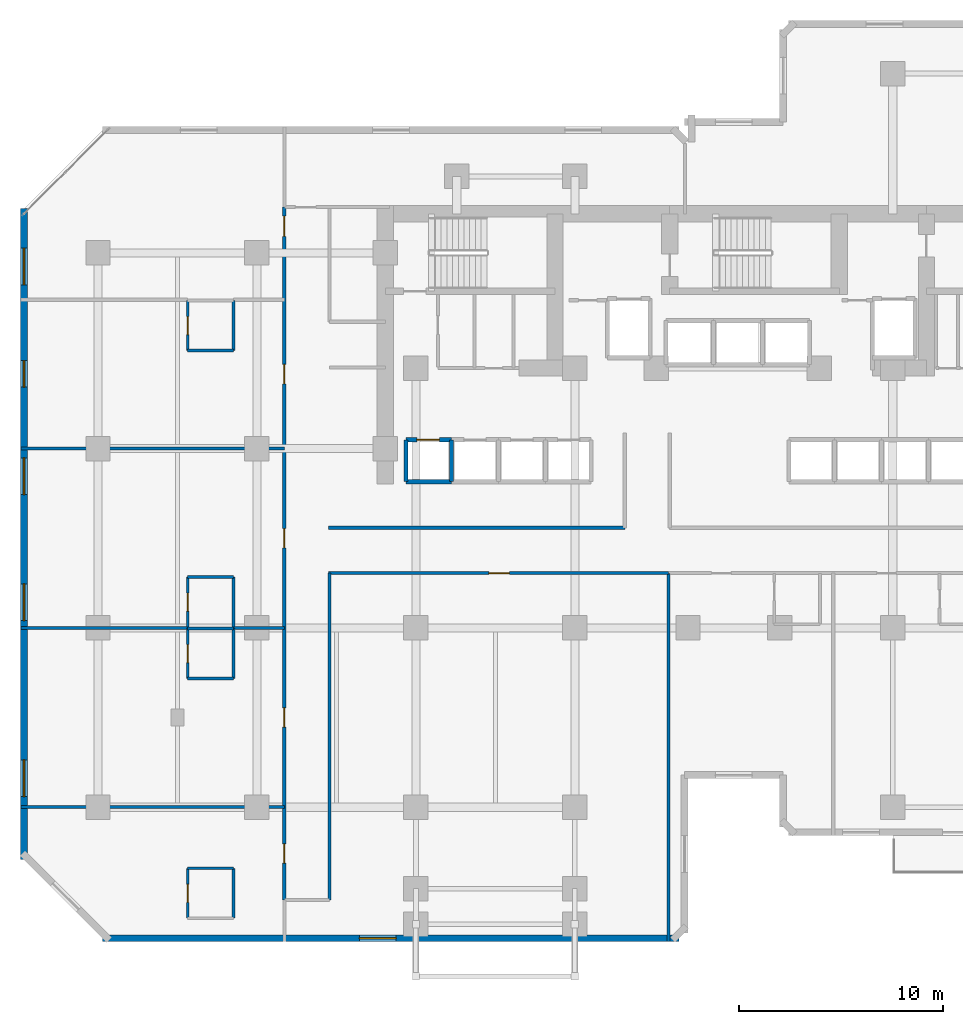
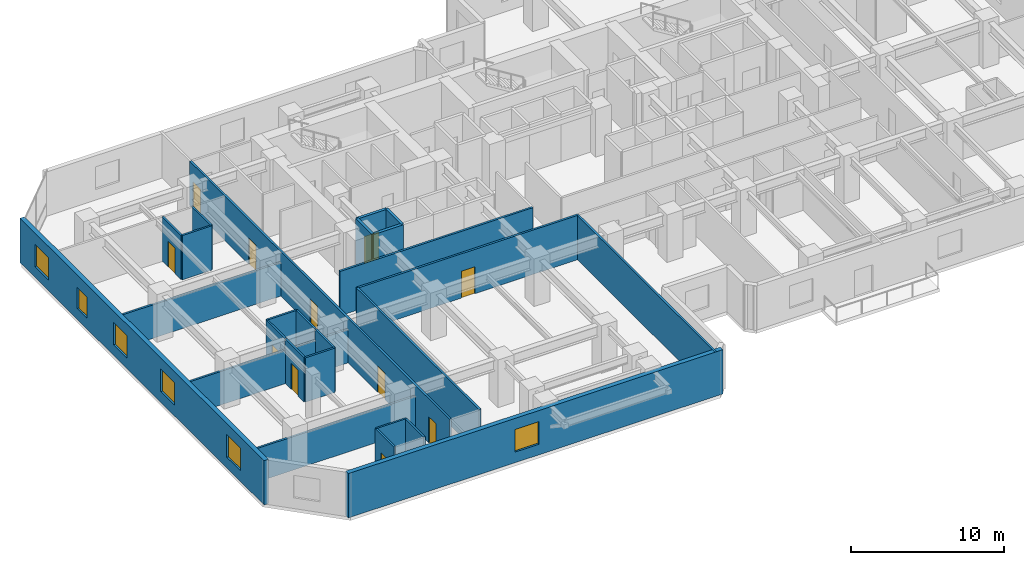
# One storey, part 6 of 12: 28 walls, 11 doors, 6 windows, 17 openings.
"""IFC4 building model written with IfcOpenShell, lengths in metres."""

import ifcopenshell
import ifcopenshell.guid

model = None  # the IFC model being written
_history = None  # IfcOwnerHistory: only IFC2X3 demands one
_inside = {}  # id of a spatial element -> (the spatial element, [elements in it])
_under = {}  # id of a project, library or spatial element -> (it, [spatial elements below it])
_declared = {}  # id of a project -> (the project, [libraries it declares])
_typed = {}  # id of a type object -> (the type object, [elements of that type])
_made_of = {}  # id of a material, layer set ... -> (it, [elements and type objects made of it])


def new_model(schema):
    """Start an empty IFC model of exactly this schema.

    Asked for "IFC4X3", IfcOpenShell would pick the latest addendum, in which some entities
    have other attributes; the version numbers below select the first issue.
    IFC2X3 requires an IfcOwnerHistory on every rooted entity: one is made here for all.
    """
    global model, _history
    if schema == "IFC4X3":
        model = ifcopenshell.file(schema_version=(4, 3, 0, 0))
    else:
        model = ifcopenshell.file(schema=schema)
    _inside.clear()
    _under.clear()
    _declared.clear()
    _typed.clear()
    _made_of.clear()
    _history = None
    if model.schema == "IFC2X3":
        org = make("IfcOrganization", Name="unknown")
        user = make(
            "IfcPersonAndOrganization",
            ThePerson=make("IfcPerson", FamilyName="unknown"),
            TheOrganization=org,
        )
        app = make(
            "IfcApplication",
            ApplicationDeveloper=org,
            Version="unknown",
            ApplicationFullName="unknown",
            ApplicationIdentifier="unknown",
        )
        _history = make(
            "IfcOwnerHistory",
            OwningUser=user,
            OwningApplication=app,
            ChangeAction="ADDED",
            CreationDate=0,
        )
    return model


def make(cls, **values):
    """One entity of the class cls with the attributes given. An attribute that is None is left unset."""
    return model.create_entity(
        cls, **{name: value for name, value in values.items() if value is not None}
    )


def rooted(cls, **values):
    """An entity with a GlobalId (a new one), such as an element, a storey or a relation."""
    return make(cls, GlobalId=ifcopenshell.guid.new(), OwnerHistory=_history, **values)


def si_unit(unit_type, name, prefix=None):
    """IfcSIUnit, for example si_unit("LENGTHUNIT", "METRE", prefix="MILLI")."""
    return make("IfcSIUnit", UnitType=unit_type, Prefix=prefix, Name=name)


def assignment(units):
    """IfcUnitAssignment: the units of a project."""
    return None if units is None else make("IfcUnitAssignment", Units=units)


def point(xyz):
    """IfcCartesianPoint."""
    return None if xyz is None else make("IfcCartesianPoint", Coordinates=xyz)


def direction(xyz):
    """IfcDirection."""
    return None if xyz is None else make("IfcDirection", DirectionRatios=xyz)


def frame(location, z_axis=None, x_axis=None):
    """IfcAxis2Placement3D, a coordinate frame: its origin and axes. An axis left out is left unset."""
    return make(
        "IfcAxis2Placement3D",
        Location=point(location),
        Axis=direction(z_axis),
        RefDirection=direction(x_axis),
    )


def frame_2d(location, x_axis=None):
    """IfcAxis2Placement2D, a coordinate frame in the plane: its origin and x axis."""
    return make(
        "IfcAxis2Placement2D", Location=point(location), RefDirection=direction(x_axis)
    )


def origin():
    """The frame at (0, 0, 0) with its axes left unset."""
    return frame((0.0, 0.0, 0.0))


def place(relative_to, where):
    """IfcLocalPlacement: puts the frame where relative to a parent placement (None: the world)."""
    return make(
        "IfcLocalPlacement", PlacementRelTo=relative_to, RelativePlacement=where
    )


def context(
    kind, dimensions, precision=None, world=None, true_north=None, identifier=None
):
    """IfcGeometricRepresentationContext, for example the 3D "Model" context."""
    return make(
        "IfcGeometricRepresentationContext",
        ContextIdentifier=identifier,
        ContextType=kind,
        CoordinateSpaceDimension=dimensions,
        Precision=precision,
        WorldCoordinateSystem=world,
        TrueNorth=true_north,
    )


def subcontext(parent, identifier, kind, view, scale=None):
    """IfcGeometricRepresentationSubContext, for example "Body" below "Model"."""
    return make(
        "IfcGeometricRepresentationSubContext",
        ContextIdentifier=identifier,
        ContextType=kind,
        ParentContext=parent,
        TargetScale=scale,
        TargetView=view,
    )


def project(units=None, contexts=None):
    """IfcProject with its units and contexts."""
    return rooted(
        "IfcProject",
        Name="project",
        RepresentationContexts=contexts,
        UnitsInContext=assignment(units),
    )


def spatial(cls, under=None, at=None, **own):
    """A site, building, storey or space (cls), placed at a placement, below another one or the project."""
    s = rooted(cls, ObjectPlacement=at, **own)
    if under is not None:
        _under.setdefault(under.id(), (under, []))[1].append(s)
    return s


def profile(cls, at=None, kind="AREA", **sizes):
    """A parametric profile (cls). Its sizes go by their IFC names, for example OverallWidth=200.0."""
    return make(cls, ProfileType=kind, Position=at, **sizes)


def rectangle(**sizes):
    """IfcRectangleProfileDef."""
    return profile("IfcRectangleProfileDef", **sizes)


def extrude(swept, where, along, depth):
    """IfcExtrudedAreaSolid: the profile swept, set in the frame where, extruded along a direction by depth."""
    return make(
        "IfcExtrudedAreaSolid",
        SweptArea=swept,
        Position=where,
        ExtrudedDirection=direction(along),
        Depth=depth,
    )


def shape(context_of_items, identifier, shape_type, items):
    """IfcShapeRepresentation: the items that make up one representation, for example the "Body"."""
    return make(
        "IfcShapeRepresentation",
        ContextOfItems=context_of_items,
        RepresentationIdentifier=identifier,
        RepresentationType=shape_type,
        Items=items,
    )


def material(Name=None, Category=None):
    """IfcMaterial."""
    return make("IfcMaterial", Name=Name, Category=Category)


def layer(
    of_material, thickness, ventilated=None, Name=None, Category=None, Priority=None
):
    """IfcMaterialLayer: one layer of a wall or slab, of a material (None: an air gap)."""
    return make(
        "IfcMaterialLayer",
        Material=of_material,
        LayerThickness=thickness,
        IsVentilated=ventilated,
        Name=Name,
        Category=Category,
        Priority=Priority,
    )


def layer_set(layers, Name=None):
    """IfcMaterialLayerSet."""
    return make("IfcMaterialLayerSet", MaterialLayers=layers, LayerSetName=Name)


def made_of(thing, what):
    """Note that an element or type object is made of a material, layer set ...; save() writes the relation."""
    if what is not None:
        _made_of.setdefault(what.id(), (what, []))[1].append(thing)
    return thing


def type_object(cls, material=None, **own):
    """A type object (cls), such as IfcWallType, which elements share."""
    return made_of(rooted(cls, **own), material)


def element(
    cls,
    number,
    at=None,
    inside=None,
    cuts=None,
    type_object=None,
    material=None,
    context=None,
    identifier="Body",
    shape_type=None,
    held_by="IfcProductDefinitionShape",
    body=None,
    shapes=None,
    **own,
):
    """One element of the class cls, such as IfcWall. Its Tag is "e" and its number.

    at: its placement. inside: the storey or other place that contains it. cuts: it is an
    opening in that element (IfcRelVoidsElement). A single representation is given by context,
    identifier, shape_type and body (its items); several are given by shapes. held_by: the class
    of the entity that holds the representations. save() writes the other relations.
    """
    e = rooted(cls, Tag="e%d" % number, ObjectPlacement=at, **own)
    if body is not None:
        shapes = [shape(context, identifier, shape_type, body)]
    if shapes is not None:
        e.Representation = make(held_by, Representations=shapes)
    if inside is not None:
        _inside.setdefault(inside.id(), (inside, []))[1].append(e)
    if cuts is not None:
        rooted(
            "IfcRelVoidsElement", RelatingBuildingElement=cuts, RelatedOpeningElement=e
        )
    if type_object is not None:
        _typed.setdefault(type_object.id(), (type_object, []))[1].append(e)
    return made_of(e, material)


def fill(opening, filler):
    """IfcRelFillsElement: the door or window that sits in an opening."""
    return rooted(
        "IfcRelFillsElement",
        RelatingOpeningElement=opening,
        RelatedBuildingElement=filler,
    )


def aggregate(whole, parts):
    """IfcRelAggregates: a whole, such as a stair, and the parts it consists of."""
    return rooted("IfcRelAggregates", RelatingObject=whole, RelatedObjects=parts)


def save(model, path):
    """Write the relations noted so far, then the file.

    IfcRelAggregates (storeys below a building ...), IfcRelContainedInSpatialStructure (elements
    in a storey), IfcRelDefinesByType, IfcRelAssociatesMaterial and IfcRelDeclares: one each for
    every whole, place, type object, material and project.
    """
    for whole, parts in _under.values():
        aggregate(whole, parts)
    for where, things in _inside.values():
        rooted(
            "IfcRelContainedInSpatialStructure",
            RelatedElements=things,
            RelatingStructure=where,
        )
    for kind, things in _typed.values():
        rooted("IfcRelDefinesByType", RelatedObjects=things, RelatingType=kind)
    for what, things in _made_of.values():
        rooted("IfcRelAssociatesMaterial", RelatedObjects=things, RelatingMaterial=what)
    for by, libraries in _declared.values():
        rooted("IfcRelDeclares", RelatingContext=by, RelatedDefinitions=libraries)
    model.write(path)


model = new_model("IFC4")

# Units and contexts
model_context = context("Model", 3, precision=1e-05, world=origin(), true_north=direction((0.0, 1.0)))
body_context = subcontext(model_context, "Body", "Model", "MODEL_VIEW")
ifc_project = project(units=[si_unit("LENGTHUNIT", "METRE"), si_unit("AREAUNIT", "SQUARE_METRE"), si_unit("VOLUMEUNIT", "CUBIC_METRE"), si_unit("PLANEANGLEUNIT", "RADIAN"), si_unit("MASSUNIT", "GRAM", prefix="KILO")], contexts=[model_context])

# Site, building, storey
site_placement = place(None, origin())
site = spatial("IfcSite", under=ifc_project, at=site_placement, CompositionType="ELEMENT")
building_placement = place(site_placement, origin())
building = spatial("IfcBuilding", under=site, at=building_placement, Name="Kestravale Grand Hotel", CompositionType="ELEMENT")
storey_placement = place(building_placement, frame((0.0, 0.0, 91.800048828125)))
storey = spatial("IfcBuildingStorey", under=building, at=storey_placement, Name="L22", CompositionType="ELEMENT", Elevation=91.800048828125)

# Wall, opening, window
ifc_material_1 = material(Name="Precast concrete f'c 45 MPa", Category="concrete")
ifc_layer_1 = layer(ifc_material_1, 0.340087890625)
ifc_layer_set_1 = layer_set([ifc_layer_1], Name="EW-PREC-340")
wall_type_1 = type_object("IfcWallType", Name="EW-PREC-340", PredefinedType="SOLIDWALL", material=ifc_layer_set_1)
wall_1_placement = place(storey_placement, frame((8.030029296875, 4.77001953125, 0.0), z_axis=(0.0, 0.0, 1.0), x_axis=(1.0, 0.0, 0.0)))
wall_1 = element("IfcWall", 1, at=wall_1_placement, inside=storey, type_object=wall_type_1, Name="L22 fluted precast facade wall 1", PredefinedType="SOLIDWALL", context=body_context, shape_type="SweptSolid", body=[
    extrude(rectangle(XDim=28.2900390625, YDim=0.340087890625, at=frame_2d((14.14501953125, 0.0))), origin(), (0.0, 0.0, 1.0), 3.5400390625),
])
opening_1_placement = place(wall_1_placement, frame((12.594970703125, 0.0, 0.85009765625)))
opening_1 = element("IfcOpeningElement", 2, at=opening_1_placement, cuts=wall_1, Name="Opening W-GUEST-1800", PredefinedType="OPENING", context=body_context, shape_type="SweptSolid", body=[
    extrude(rectangle(XDim=1.800048828125, YDim=1.800048828125, at=frame_2d((0.89990234375, 0.89990234375))), frame((0.0, 0.179931640625, 0.0), z_axis=(0.0, -1.0, 0.0), x_axis=(1.0, 0.0, 0.0)), (0.0, 0.0, 1.0), 0.360107421875),
])
ifc_material_2 = material(Name="Insulated low-E double glazing in aluminium frame", Category="aluminium")
window_type_1 = type_object("IfcWindowType", Name="W-GUEST-1800", PartitioningType="DOUBLE_PANEL_VERTICAL", PredefinedType="WINDOW", material=ifc_material_2)
window_1_placement = place(opening_1_placement, origin())
window_1 = element("IfcWindow", 3, at=window_1_placement, inside=storey, type_object=window_type_1, Name="L22 exterior window 1.1", OverallHeight=1.800048828125, OverallWidth=1.800048828125, PartitioningType="SINGLE_PANEL", PredefinedType="WINDOW", context=body_context, shape_type="SweptSolid", body=[
    extrude(rectangle(XDim=1.800048828125, YDim=1.800048828125, at=frame_2d((0.89990234375, 0.89990234375))), frame((0.0, 0.030029296875, 0.0), z_axis=(0.0, -1.0, 0.0), x_axis=(1.0, 0.0, 0.0)), (0.0, 0.0, 1.0), 0.06005859375),
])
fill(opening_1, window_1)

# Wall, openings, windows
wall_2_placement = place(storey_placement, frame((4.169921875, 40.570068359375, 0.0), z_axis=(0.0, 0.0, 1.0), x_axis=(0.0, -1.0, 0.0)))
wall_2 = element("IfcWall", 4, at=wall_2_placement, inside=storey, type_object=wall_type_1, Name="L22 fluted precast facade wall 19", PredefinedType="SOLIDWALL", context=body_context, shape_type="SweptSolid", body=[
    extrude(rectangle(XDim=31.940185546875, YDim=0.340087890625, at=frame_2d((15.97021484375, 0.0))), origin(), (0.0, 0.0, 1.0), 3.5400390625),
])
opening_2_placement = place(wall_2_placement, frame((1.9423828125, 0.0, 0.85009765625)))
opening_2 = element("IfcOpeningElement", 5, at=opening_2_placement, cuts=wall_2, Name="Opening W-GUEST-1800", PredefinedType="OPENING", context=body_context, shape_type="SweptSolid", body=[
    extrude(rectangle(XDim=1.800048828125, YDim=1.800048828125, at=frame_2d((0.89990234375, 0.89990234375))), frame((0.0, 0.179931640625, 0.0), z_axis=(0.0, -1.0, 0.0), x_axis=(1.0, 0.0, 0.0)), (0.0, 0.0, 1.0), 0.360107421875),
])
opening_3_placement = place(wall_2_placement, frame((12.2275390625, 0.0, 0.85009765625)))
opening_3 = element("IfcOpeningElement", 6, at=opening_3_placement, cuts=wall_2, Name="Opening W-GUEST-1800", PredefinedType="OPENING", context=body_context, shape_type="SweptSolid", body=[
    extrude(rectangle(XDim=1.800048828125, YDim=1.800048828125, at=frame_2d((0.89990234375, 0.89990234375))), frame((0.0, 0.179931640625, 0.0), z_axis=(0.0, -1.0, 0.0), x_axis=(1.0, 0.0, 0.0)), (0.0, 0.0, 1.0), 0.360107421875),
])
opening_4_placement = place(wall_2_placement, frame((18.41259765625, 0.0, 0.85009765625)))
opening_4 = element("IfcOpeningElement", 7, at=opening_4_placement, cuts=wall_2, Name="Opening W-GUEST-1800", PredefinedType="OPENING", context=body_context, shape_type="SweptSolid", body=[
    extrude(rectangle(XDim=1.800048828125, YDim=1.800048828125, at=frame_2d((0.89990234375, 0.89990234375))), frame((0.0, 0.179931640625, 0.0), z_axis=(0.0, -1.0, 0.0), x_axis=(1.0, 0.0, 0.0)), (0.0, 0.0, 1.0), 0.360107421875),
])
opening_5_placement = place(wall_2_placement, frame((27.047607421875, 0.0, 0.85009765625)))
opening_5 = element("IfcOpeningElement", 8, at=opening_5_placement, cuts=wall_2, Name="Opening W-GUEST-1800", PredefinedType="OPENING", context=body_context, shape_type="SweptSolid", body=[
    extrude(rectangle(XDim=1.800048828125, YDim=1.800048828125, at=frame_2d((0.89990234375, 0.89990234375))), frame((0.0, 0.179931640625, 0.0), z_axis=(0.0, -1.0, 0.0), x_axis=(1.0, 0.0, 0.0)), (0.0, 0.0, 1.0), 0.360107421875),
])
opening_6_placement = place(wall_2_placement, frame((7.4599609375, 0.0, 0.85009765625)))
opening_6 = element("IfcOpeningElement", 9, at=opening_6_placement, cuts=wall_2, Name="Opening W-GUEST-1300", PredefinedType="OPENING", context=body_context, shape_type="SweptSolid", body=[
    extrude(rectangle(XDim=1.300048828125, YDim=1.699951171875, at=frame_2d((0.64990234375, 0.85009765625))), frame((0.0, 0.179931640625, 0.0), z_axis=(0.0, -1.0, 0.0), x_axis=(1.0, 0.0, 0.0)), (0.0, 0.0, 1.0), 0.360107421875),
])
ifc_material_3 = material(Name="Insulated low-E double glazing in aluminium frame", Category="aluminium")
window_type_2 = type_object("IfcWindowType", Name="W-GUEST-1300", PartitioningType="SINGLE_PANEL", PredefinedType="WINDOW", material=ifc_material_3)
window_2_placement = place(opening_6_placement, origin())
window_2 = element("IfcWindow", 10, at=window_2_placement, inside=storey, type_object=window_type_2, Name="L22 guestroom envelope window 1", OverallHeight=1.699951171875, OverallWidth=1.300048828125, PartitioningType="SINGLE_PANEL", PredefinedType="WINDOW", context=body_context, shape_type="SweptSolid", body=[
    extrude(rectangle(XDim=1.300048828125, YDim=1.699951171875, at=frame_2d((0.64990234375, 0.85009765625))), frame((0.0, 0.030029296875, 0.0), z_axis=(0.0, -1.0, 0.0), x_axis=(1.0, 0.0, 0.0)), (0.0, 0.0, 1.0), 0.06005859375),
])
fill(opening_6, window_2)
window_3_placement = place(opening_2_placement, origin())
window_3 = element("IfcWindow", 11, at=window_3_placement, inside=storey, type_object=window_type_1, Name="L22 exterior window 19.1", OverallHeight=1.800048828125, OverallWidth=1.800048828125, PartitioningType="SINGLE_PANEL", PredefinedType="WINDOW", context=body_context, shape_type="SweptSolid", body=[
    extrude(rectangle(XDim=1.800048828125, YDim=1.800048828125, at=frame_2d((0.89990234375, 0.89990234375))), frame((0.0, 0.030029296875, 0.0), z_axis=(0.0, -1.0, 0.0), x_axis=(1.0, 0.0, 0.0)), (0.0, 0.0, 1.0), 0.06005859375),
])
fill(opening_2, window_3)
window_4_placement = place(opening_3_placement, origin())
window_4 = element("IfcWindow", 12, at=window_4_placement, inside=storey, type_object=window_type_1, Name="L22 exterior window 19.2", OverallHeight=1.800048828125, OverallWidth=1.800048828125, PartitioningType="SINGLE_PANEL", PredefinedType="WINDOW", context=body_context, shape_type="SweptSolid", body=[
    extrude(rectangle(XDim=1.800048828125, YDim=1.800048828125, at=frame_2d((0.89990234375, 0.89990234375))), frame((0.0, 0.030029296875, 0.0), z_axis=(0.0, -1.0, 0.0), x_axis=(1.0, 0.0, 0.0)), (0.0, 0.0, 1.0), 0.06005859375),
])
fill(opening_3, window_4)
window_5_placement = place(opening_4_placement, origin())
window_5 = element("IfcWindow", 13, at=window_5_placement, inside=storey, type_object=window_type_1, Name="L22 exterior window 19.3", OverallHeight=1.800048828125, OverallWidth=1.800048828125, PartitioningType="SINGLE_PANEL", PredefinedType="WINDOW", context=body_context, shape_type="SweptSolid", body=[
    extrude(rectangle(XDim=1.800048828125, YDim=1.800048828125, at=frame_2d((0.89990234375, 0.89990234375))), frame((0.0, 0.030029296875, 0.0), z_axis=(0.0, -1.0, 0.0), x_axis=(1.0, 0.0, 0.0)), (0.0, 0.0, 1.0), 0.06005859375),
])
fill(opening_4, window_5)
window_6_placement = place(opening_5_placement, origin())
window_6 = element("IfcWindow", 14, at=window_6_placement, inside=storey, type_object=window_type_1, Name="L22 exterior window 19.4", OverallHeight=1.800048828125, OverallWidth=1.800048828125, PartitioningType="SINGLE_PANEL", PredefinedType="WINDOW", context=body_context, shape_type="SweptSolid", body=[
    extrude(rectangle(XDim=1.800048828125, YDim=1.800048828125, at=frame_2d((0.89990234375, 0.89990234375))), frame((0.0, 0.030029296875, 0.0), z_axis=(0.0, -1.0, 0.0), x_axis=(1.0, 0.0, 0.0)), (0.0, 0.0, 1.0), 0.06005859375),
])
fill(opening_5, window_6)

# Wall
ifc_material_4 = material(Name="Acoustic fire-rated gypsum board partition", Category="other")
ifc_layer_2 = layer(ifc_material_4, 0.159912109375)
ifc_layer_set_2 = layer_set([ifc_layer_2], Name="IW-CORR-160")
wall_type_2 = type_object("IfcWallType", Name="IW-CORR-160", PredefinedType="PARTITIONING", material=ifc_layer_set_2)
wall_3_placement = place(storey_placement, frame((19.10009765625, 24.909912109375, 0.0), z_axis=(0.0, 0.0, 1.0), x_axis=(1.0, 0.0, 0.0)))
element("IfcWall", 15, at=wall_3_placement, inside=storey, type_object=wall_type_2, Name="W-L22-CW-N", PredefinedType="PARTITIONING", context=body_context, shape_type="SweptSolid", body=[
    extrude(rectangle(XDim=14.5498046875, YDim=0.159912109375, at=frame_2d((7.27490234375, 0.0))), origin(), (0.0, 0.0, 1.0), 3.5400390625),
])

# Wall, opening, door
wall_4_placement = place(storey_placement, frame((19.10009765625, 22.68994140625, 0.0), z_axis=(0.0, 0.0, 1.0), x_axis=(1.0, 0.0, 0.0)))
wall_4 = element("IfcWall", 16, at=wall_4_placement, inside=storey, type_object=wall_type_2, Name="W-L22-CW-S", PredefinedType="PARTITIONING", context=body_context, shape_type="SweptSolid", body=[
    extrude(rectangle(XDim=16.699951171875, YDim=0.159912109375, at=frame_2d((8.35009765625, 0.0))), origin(), (0.0, 0.0, 1.0), 3.5400390625),
])
opening_7_placement = place(wall_4_placement, frame((7.8798828125, 0.0, 0.0)))
opening_7 = element("IfcOpeningElement", 17, at=opening_7_placement, cuts=wall_4, Name="Opening D-GUEST-1000", PredefinedType="OPENING", context=body_context, shape_type="SweptSolid", body=[
    extrude(rectangle(XDim=1.0, YDim=2.14990234375, at=frame_2d((0.5, 1.074951171875))), frame((0.0, 0.08984375, 0.0), z_axis=(0.0, -1.0, 0.0), x_axis=(1.0, 0.0, 0.0)), (0.0, 0.0, 1.0), 0.179931640625),
])
ifc_material_5 = material(Name="Accessible walnut veneer hotel entrance fire door", Category="wood")
door_type_1 = type_object("IfcDoorType", Name="D-GUEST-1000", OperationType="NOTDEFINED", PredefinedType="DOOR", material=ifc_material_5)
door_1_placement = place(opening_7_placement, origin())
door_1 = element("IfcDoor", 18, at=door_1_placement, inside=storey, type_object=door_type_1, Name="D-L22-AMW", OperationType="SINGLE_SWING_LEFT", OverallHeight=2.14990234375, OverallWidth=1.0, PredefinedType="DOOR", context=body_context, shape_type="SweptSolid", body=[
    extrude(rectangle(XDim=1.0, YDim=2.14990234375, at=frame_2d((0.5, 1.074951171875))), frame((0.0, 0.02490234375, 0.0), z_axis=(0.0, -1.0, 0.0), x_axis=(1.0, 0.0, 0.0)), (0.0, 0.0, 1.0), 0.050048828125),
])
fill(opening_7, door_1)

# Wall, openings, doors
wall_5_placement = place(storey_placement, frame((16.93994140625, 6.64990234375, 0.0), z_axis=(0.0, 0.0, 1.0), x_axis=(0.0, 1.0, 0.0)))
wall_5 = element("IfcWall", 19, at=wall_5_placement, inside=storey, type_object=wall_type_2, Name="W-L22-SW-W", PredefinedType="PARTITIONING", context=body_context, shape_type="SweptSolid", body=[
    extrude(rectangle(XDim=34.0, YDim=0.159912109375, at=frame_2d((17.0, 0.0))), origin(), (0.0, 0.0, 1.0), 3.5400390625),
])
opening_8_placement = place(wall_5_placement, frame((1.800048828125, 0.0, 0.0)))
opening_8 = element("IfcOpeningElement", 20, at=opening_8_placement, cuts=wall_5, Name="Opening D-GUEST-950", PredefinedType="OPENING", context=body_context, shape_type="SweptSolid", body=[
    extrude(rectangle(XDim=0.949951171875, YDim=2.10009765625, at=frame_2d((0.47509765625, 1.050048828125))), frame((0.0, 0.08984375, 0.0), z_axis=(0.0, -1.0, 0.0), x_axis=(1.0, 0.0, 0.0)), (0.0, 0.0, 1.0), 0.179931640625),
])
opening_9_placement = place(wall_5_placement, frame((8.47509765625, 0.0, 0.0)))
opening_9 = element("IfcOpeningElement", 21, at=opening_9_placement, cuts=wall_5, Name="Opening D-GUEST-950", PredefinedType="OPENING", context=body_context, shape_type="SweptSolid", body=[
    extrude(rectangle(XDim=0.949951171875, YDim=2.10009765625, at=frame_2d((0.47509765625, 1.050048828125))), frame((0.0, 0.08984375, 0.0), z_axis=(0.0, -1.0, 0.0), x_axis=(1.0, 0.0, 0.0)), (0.0, 0.0, 1.0), 0.179931640625),
])
opening_10_placement = place(wall_5_placement, frame((17.27490234375, 0.0, 0.0)))
opening_10 = element("IfcOpeningElement", 22, at=opening_10_placement, cuts=wall_5, Name="Opening D-GUEST-950", PredefinedType="OPENING", context=body_context, shape_type="SweptSolid", body=[
    extrude(rectangle(XDim=0.949951171875, YDim=2.10009765625, at=frame_2d((0.47509765625, 1.050048828125))), frame((0.0, 0.08984375, 0.0), z_axis=(0.0, -1.0, 0.0), x_axis=(1.0, 0.0, 0.0)), (0.0, 0.0, 1.0), 0.179931640625),
])
opening_11_placement = place(wall_5_placement, frame((25.324951171875, 0.0, 0.0)))
opening_11 = element("IfcOpeningElement", 23, at=opening_11_placement, cuts=wall_5, Name="Opening D-GUEST-950", PredefinedType="OPENING", context=body_context, shape_type="SweptSolid", body=[
    extrude(rectangle(XDim=0.949951171875, YDim=2.10009765625, at=frame_2d((0.47509765625, 1.050048828125))), frame((0.0, 0.08984375, 0.0), z_axis=(0.0, -1.0, 0.0), x_axis=(1.0, 0.0, 0.0)), (0.0, 0.0, 1.0), 0.179931640625),
])
opening_12_placement = place(wall_5_placement, frame((32.56005859375, 0.0, 0.0)))
opening_12 = element("IfcOpeningElement", 24, at=opening_12_placement, cuts=wall_5, Name="Opening D-GUEST-1000", PredefinedType="OPENING", context=body_context, shape_type="SweptSolid", body=[
    extrude(rectangle(XDim=1.0, YDim=2.14990234375, at=frame_2d((0.5, 1.074951171875))), frame((0.0, 0.08984375, 0.0), z_axis=(0.0, -1.0, 0.0), x_axis=(1.0, 0.0, 0.0)), (0.0, 0.0, 1.0), 0.179931640625),
])
door_2_placement = place(opening_12_placement, origin())
door_2 = element("IfcDoor", 25, at=door_2_placement, inside=storey, type_object=door_type_1, Name="D-L22-AMWW", OperationType="SINGLE_SWING_LEFT", OverallHeight=2.14990234375, OverallWidth=1.0, PredefinedType="DOOR", context=body_context, shape_type="SweptSolid", body=[
    extrude(rectangle(XDim=1.0, YDim=2.14990234375, at=frame_2d((0.5, 1.074951171875))), frame((0.0, 0.02490234375, 0.0), z_axis=(0.0, -1.0, 0.0), x_axis=(1.0, 0.0, 0.0)), (0.0, 0.0, 1.0), 0.050048828125),
])
fill(opening_12, door_2)
ifc_material_6 = material(Name="Walnut veneer hotel guestroom entrance fire door", Category="wood")
door_type_2 = type_object("IfcDoorType", Name="D-GUEST-950", OperationType="NOTDEFINED", PredefinedType="DOOR", material=ifc_material_6)
door_3_placement = place(opening_8_placement, origin())
door_3 = element("IfcDoor", 26, at=door_3_placement, inside=storey, type_object=door_type_2, Name="D-L22-U03-ENT", OperationType="SINGLE_SWING_RIGHT", OverallHeight=2.10009765625, OverallWidth=0.949951171875, PredefinedType="DOOR", context=body_context, shape_type="SweptSolid", body=[
    extrude(rectangle(XDim=0.949951171875, YDim=2.10009765625, at=frame_2d((0.47509765625, 1.050048828125))), frame((0.0, 0.02490234375, 0.0), z_axis=(0.0, -1.0, 0.0), x_axis=(1.0, 0.0, 0.0)), (0.0, 0.0, 1.0), 0.050048828125),
])
fill(opening_8, door_3)
door_4_placement = place(opening_9_placement, origin())
door_4 = element("IfcDoor", 27, at=door_4_placement, inside=storey, type_object=door_type_2, Name="D-L22-U04-ENT", OperationType="SINGLE_SWING_RIGHT", OverallHeight=2.10009765625, OverallWidth=0.949951171875, PredefinedType="DOOR", context=body_context, shape_type="SweptSolid", body=[
    extrude(rectangle(XDim=0.949951171875, YDim=2.10009765625, at=frame_2d((0.47509765625, 1.050048828125))), frame((0.0, 0.02490234375, 0.0), z_axis=(0.0, -1.0, 0.0), x_axis=(1.0, 0.0, 0.0)), (0.0, 0.0, 1.0), 0.050048828125),
])
fill(opening_9, door_4)
door_5_placement = place(opening_10_placement, origin())
door_5 = element("IfcDoor", 28, at=door_5_placement, inside=storey, type_object=door_type_2, Name="D-L22-U05-ENT", OperationType="SINGLE_SWING_RIGHT", OverallHeight=2.10009765625, OverallWidth=0.949951171875, PredefinedType="DOOR", context=body_context, shape_type="SweptSolid", body=[
    extrude(rectangle(XDim=0.949951171875, YDim=2.10009765625, at=frame_2d((0.47509765625, 1.050048828125))), frame((0.0, 0.02490234375, 0.0), z_axis=(0.0, -1.0, 0.0), x_axis=(1.0, 0.0, 0.0)), (0.0, 0.0, 1.0), 0.050048828125),
])
fill(opening_10, door_5)
door_6_placement = place(opening_11_placement, origin())
door_6 = element("IfcDoor", 29, at=door_6_placement, inside=storey, type_object=door_type_2, Name="D-L22-U06-ENT", OperationType="SINGLE_SWING_RIGHT", OverallHeight=2.10009765625, OverallWidth=0.949951171875, PredefinedType="DOOR", context=body_context, shape_type="SweptSolid", body=[
    extrude(rectangle(XDim=0.949951171875, YDim=2.10009765625, at=frame_2d((0.47509765625, 1.050048828125))), frame((0.0, 0.02490234375, 0.0), z_axis=(0.0, -1.0, 0.0), x_axis=(1.0, 0.0, 0.0)), (0.0, 0.0, 1.0), 0.050048828125),
])
fill(opening_11, door_6)

# Wall
wall_6_placement = place(storey_placement, frame((19.159912109375, 6.64990234375, 0.0), z_axis=(0.0, 0.0, 1.0), x_axis=(0.0, 1.0, 0.0)))
element("IfcWall", 30, at=wall_6_placement, inside=storey, type_object=wall_type_2, Name="W-L22-SW-E", PredefinedType="PARTITIONING", context=body_context, shape_type="SweptSolid", body=[
    extrude(rectangle(XDim=16.0400390625, YDim=0.159912109375, at=frame_2d((8.02001953125, 0.0))), origin(), (0.0, 0.0, 1.0), 3.5400390625),
])

# Wall, opening, door
ifc_material_7 = material(Name="Moisture-resistant tile-backer plumbing chase wall", Category="other")
ifc_layer_3 = layer(ifc_material_7, 0.139892578125)
ifc_layer_set_3 = layer_set([ifc_layer_3], Name="IW-PLB-140")
wall_type_3 = type_object("IfcWallType", Name="IW-PLB-140", PredefinedType="PLUMBINGWALL", material=ifc_layer_set_3)
wall_7_placement = place(storey_placement, frame((12.199951171875, 5.75, 0.0), z_axis=(0.0, 0.0, 1.0), x_axis=(0.0, 1.0, 0.0)))
wall_7 = element("IfcWall", 31, at=wall_7_placement, inside=storey, type_object=wall_type_3, Name="W-L22-U03-BW", PredefinedType="PLUMBINGWALL", context=body_context, shape_type="SweptSolid", body=[
    extrude(rectangle(XDim=2.449951171875, YDim=0.139892578125, at=frame_2d((1.22509765625, 0.0))), origin(), (0.0, 0.0, 1.0), 3.5400390625),
])
opening_13_placement = place(wall_7_placement, frame((0.784912109375, 0.0, 0.0)))
opening_13 = element("IfcOpeningElement", 32, at=opening_13_placement, cuts=wall_7, Name="Opening D-BATH-880", PredefinedType="OPENING", context=body_context, shape_type="SweptSolid", body=[
    extrude(rectangle(XDim=0.8798828125, YDim=2.050048828125, at=frame_2d((0.43994140625, 1.02490234375))), frame((0.0, 0.079833984375, 0.0), z_axis=(0.0, -1.0, 0.0), x_axis=(1.0, 0.0, 0.0)), (0.0, 0.0, 1.0), 0.159912109375),
])
ifc_material_8 = material(Name="Moisture-sealed walnut en-suite bathroom door", Category="wood")
door_type_3 = type_object("IfcDoorType", Name="D-BATH-880", OperationType="NOTDEFINED", PredefinedType="DOOR", material=ifc_material_8)
door_7_placement = place(opening_13_placement, origin())
door_7 = element("IfcDoor", 33, at=door_7_placement, inside=storey, type_object=door_type_3, Name="D-L22-U03-BATH", OperationType="SINGLE_SWING_LEFT", OverallHeight=2.050048828125, OverallWidth=0.8798828125, PredefinedType="DOOR", context=body_context, shape_type="SweptSolid", body=[
    extrude(rectangle(XDim=0.8798828125, YDim=2.050048828125, at=frame_2d((0.43994140625, 1.02490234375))), frame((0.0, 0.02490234375, 0.0), z_axis=(0.0, -1.0, 0.0), x_axis=(1.0, 0.0, 0.0)), (0.0, 0.0, 1.0), 0.050048828125),
])
fill(opening_13, door_7)

# Walls
wall_8_placement = place(storey_placement, frame((14.449951171875, 5.75, 0.0), z_axis=(0.0, 0.0, 1.0), x_axis=(0.0, 1.0, 0.0)))
element("IfcWall", 34, at=wall_8_placement, inside=storey, type_object=wall_type_3, Name="W-L22-U03-BE", PredefinedType="PLUMBINGWALL", context=body_context, shape_type="SweptSolid", body=[
    extrude(rectangle(XDim=2.449951171875, YDim=0.139892578125, at=frame_2d((1.22509765625, 0.0))), origin(), (0.0, 0.0, 1.0), 3.5400390625),
])
wall_9_placement = place(storey_placement, frame((12.199951171875, 8.199951171875, 0.0), z_axis=(0.0, 0.0, 1.0), x_axis=(1.0, 0.0, 0.0)))
element("IfcWall", 35, at=wall_9_placement, inside=storey, type_object=wall_type_3, Name="W-L22-U03-BN", PredefinedType="PLUMBINGWALL", context=body_context, shape_type="SweptSolid", body=[
    extrude(rectangle(XDim=2.25, YDim=0.139892578125, at=frame_2d((1.125, 0.0))), origin(), (0.0, 0.0, 1.0), 3.5400390625),
])

# Wall, opening, door
wall_10_placement = place(storey_placement, frame((12.199951171875, 17.510009765625, 0.0), z_axis=(0.0, 0.0, 1.0), x_axis=(0.0, 1.0, 0.0)))
wall_10 = element("IfcWall", 36, at=wall_10_placement, inside=storey, type_object=wall_type_3, Name="W-L22-U04-BW", PredefinedType="PLUMBINGWALL", context=body_context, shape_type="SweptSolid", body=[
    extrude(rectangle(XDim=2.449951171875, YDim=0.139892578125, at=frame_2d((1.22509765625, 0.0))), origin(), (0.0, 0.0, 1.0), 3.5400390625),
])
opening_14_placement = place(wall_10_placement, frame((0.784912109375, 0.0, 0.0)))
opening_14 = element("IfcOpeningElement", 37, at=opening_14_placement, cuts=wall_10, Name="Opening D-BATH-880", PredefinedType="OPENING", context=body_context, shape_type="SweptSolid", body=[
    extrude(rectangle(XDim=0.8798828125, YDim=2.050048828125, at=frame_2d((0.43994140625, 1.02490234375))), frame((0.0, 0.079833984375, 0.0), z_axis=(0.0, -1.0, 0.0), x_axis=(1.0, 0.0, 0.0)), (0.0, 0.0, 1.0), 0.159912109375),
])
door_8_placement = place(opening_14_placement, origin())
door_8 = element("IfcDoor", 38, at=door_8_placement, inside=storey, type_object=door_type_3, Name="D-L22-U04-BATH", OperationType="SINGLE_SWING_LEFT", OverallHeight=2.050048828125, OverallWidth=0.8798828125, PredefinedType="DOOR", context=body_context, shape_type="SweptSolid", body=[
    extrude(rectangle(XDim=0.8798828125, YDim=2.050048828125, at=frame_2d((0.43994140625, 1.02490234375))), frame((0.0, 0.02490234375, 0.0), z_axis=(0.0, -1.0, 0.0), x_axis=(1.0, 0.0, 0.0)), (0.0, 0.0, 1.0), 0.050048828125),
])
fill(opening_14, door_8)

# Walls
wall_11_placement = place(storey_placement, frame((14.449951171875, 17.510009765625, 0.0), z_axis=(0.0, 0.0, 1.0), x_axis=(0.0, 1.0, 0.0)))
element("IfcWall", 39, at=wall_11_placement, inside=storey, type_object=wall_type_3, Name="W-L22-U04-BE", PredefinedType="PLUMBINGWALL", context=body_context, shape_type="SweptSolid", body=[
    extrude(rectangle(XDim=2.449951171875, YDim=0.139892578125, at=frame_2d((1.22509765625, 0.0))), origin(), (0.0, 0.0, 1.0), 3.5400390625),
])
wall_12_placement = place(storey_placement, frame((12.199951171875, 17.510009765625, 0.0), z_axis=(0.0, 0.0, 1.0), x_axis=(1.0, 0.0, 0.0)))
element("IfcWall", 40, at=wall_12_placement, inside=storey, type_object=wall_type_3, Name="W-L22-U04-BS", PredefinedType="PLUMBINGWALL", context=body_context, shape_type="SweptSolid", body=[
    extrude(rectangle(XDim=2.25, YDim=0.139892578125, at=frame_2d((1.125, 0.0))), origin(), (0.0, 0.0, 1.0), 3.5400390625),
])
wall_13_placement = place(storey_placement, frame((12.199951171875, 19.9599609375, 0.0), z_axis=(0.0, 0.0, 1.0), x_axis=(1.0, 0.0, 0.0)))
element("IfcWall", 41, at=wall_13_placement, inside=storey, type_object=wall_type_3, Name="W-L22-U04-BN", PredefinedType="PLUMBINGWALL", context=body_context, shape_type="SweptSolid", body=[
    extrude(rectangle(XDim=2.25, YDim=0.139892578125, at=frame_2d((1.125, 0.0))), origin(), (0.0, 0.0, 1.0), 2.678955078125),
])

# Wall, opening, door
wall_14_placement = place(storey_placement, frame((12.199951171875, 20.0400390625, 0.0), z_axis=(0.0, 0.0, 1.0), x_axis=(0.0, 1.0, 0.0)))
wall_14 = element("IfcWall", 42, at=wall_14_placement, inside=storey, type_object=wall_type_3, Name="W-L22-U05-BW", PredefinedType="PLUMBINGWALL", context=body_context, shape_type="SweptSolid", body=[
    extrude(rectangle(XDim=2.449951171875, YDim=0.139892578125, at=frame_2d((1.22509765625, 0.0))), origin(), (0.0, 0.0, 1.0), 3.5400390625),
])
opening_15_placement = place(wall_14_placement, frame((0.784912109375, 0.0, 0.0)))
opening_15 = element("IfcOpeningElement", 43, at=opening_15_placement, cuts=wall_14, Name="Opening D-BATH-880", PredefinedType="OPENING", context=body_context, shape_type="SweptSolid", body=[
    extrude(rectangle(XDim=0.8798828125, YDim=2.050048828125, at=frame_2d((0.43994140625, 1.02490234375))), frame((0.0, 0.079833984375, 0.0), z_axis=(0.0, -1.0, 0.0), x_axis=(1.0, 0.0, 0.0)), (0.0, 0.0, 1.0), 0.159912109375),
])
door_9_placement = place(opening_15_placement, origin())
door_9 = element("IfcDoor", 44, at=door_9_placement, inside=storey, type_object=door_type_3, Name="D-L22-U05-BATH", OperationType="SINGLE_SWING_LEFT", OverallHeight=2.050048828125, OverallWidth=0.8798828125, PredefinedType="DOOR", context=body_context, shape_type="SweptSolid", body=[
    extrude(rectangle(XDim=0.8798828125, YDim=2.050048828125, at=frame_2d((0.43994140625, 1.02490234375))), frame((0.0, 0.02490234375, 0.0), z_axis=(0.0, -1.0, 0.0), x_axis=(1.0, 0.0, 0.0)), (0.0, 0.0, 1.0), 0.050048828125),
])
fill(opening_15, door_9)

# Walls
wall_15_placement = place(storey_placement, frame((14.449951171875, 20.0400390625, 0.0), z_axis=(0.0, 0.0, 1.0), x_axis=(0.0, 1.0, 0.0)))
element("IfcWall", 45, at=wall_15_placement, inside=storey, type_object=wall_type_3, Name="W-L22-U05-BE", PredefinedType="PLUMBINGWALL", context=body_context, shape_type="SweptSolid", body=[
    extrude(rectangle(XDim=2.449951171875, YDim=0.139892578125, at=frame_2d((1.22509765625, 0.0))), origin(), (0.0, 0.0, 1.0), 3.5400390625),
])
wall_16_placement = place(storey_placement, frame((12.199951171875, 22.489990234375, 0.0), z_axis=(0.0, 0.0, 1.0), x_axis=(1.0, 0.0, 0.0)))
element("IfcWall", 46, at=wall_16_placement, inside=storey, type_object=wall_type_3, Name="W-L22-U05-BN", PredefinedType="PLUMBINGWALL", context=body_context, shape_type="SweptSolid", body=[
    extrude(rectangle(XDim=2.25, YDim=0.139892578125, at=frame_2d((1.125, 0.0))), origin(), (0.0, 0.0, 1.0), 3.5400390625),
])

# Wall, opening, door
wall_17_placement = place(storey_placement, frame((12.199951171875, 33.610107421875, 0.0), z_axis=(0.0, 0.0, 1.0), x_axis=(0.0, 1.0, 0.0)))
wall_17 = element("IfcWall", 47, at=wall_17_placement, inside=storey, type_object=wall_type_3, Name="W-L22-U06-BW", PredefinedType="PLUMBINGWALL", context=body_context, shape_type="SweptSolid", body=[
    extrude(rectangle(XDim=2.449951171875, YDim=0.139892578125, at=frame_2d((1.22509765625, 0.0))), origin(), (0.0, 0.0, 1.0), 3.5400390625),
])
opening_16_placement = place(wall_17_placement, frame((0.784912109375, 0.0, 0.0)))
opening_16 = element("IfcOpeningElement", 48, at=opening_16_placement, cuts=wall_17, Name="Opening D-BATH-880", PredefinedType="OPENING", context=body_context, shape_type="SweptSolid", body=[
    extrude(rectangle(XDim=0.8798828125, YDim=2.050048828125, at=frame_2d((0.43994140625, 1.02490234375))), frame((0.0, 0.079833984375, 0.0), z_axis=(0.0, -1.0, 0.0), x_axis=(1.0, 0.0, 0.0)), (0.0, 0.0, 1.0), 0.159912109375),
])
door_10_placement = place(opening_16_placement, origin())
door_10 = element("IfcDoor", 49, at=door_10_placement, inside=storey, type_object=door_type_3, Name="D-L22-U06-BATH", OperationType="SINGLE_SWING_LEFT", OverallHeight=2.050048828125, OverallWidth=0.8798828125, PredefinedType="DOOR", context=body_context, shape_type="SweptSolid", body=[
    extrude(rectangle(XDim=0.8798828125, YDim=2.050048828125, at=frame_2d((0.43994140625, 1.02490234375))), frame((0.0, 0.02490234375, 0.0), z_axis=(0.0, -1.0, 0.0), x_axis=(1.0, 0.0, 0.0)), (0.0, 0.0, 1.0), 0.050048828125),
])
fill(opening_16, door_10)

# Walls
wall_18_placement = place(storey_placement, frame((14.449951171875, 33.610107421875, 0.0), z_axis=(0.0, 0.0, 1.0), x_axis=(0.0, 1.0, 0.0)))
element("IfcWall", 50, at=wall_18_placement, inside=storey, type_object=wall_type_3, Name="W-L22-U06-BE", PredefinedType="PLUMBINGWALL", context=body_context, shape_type="SweptSolid", body=[
    extrude(rectangle(XDim=2.449951171875, YDim=0.139892578125, at=frame_2d((1.22509765625, 0.0))), origin(), (0.0, 0.0, 1.0), 3.5400390625),
])
wall_19_placement = place(storey_placement, frame((12.199951171875, 33.610107421875, 0.0), z_axis=(0.0, 0.0, 1.0), x_axis=(1.0, 0.0, 0.0)))
element("IfcWall", 51, at=wall_19_placement, inside=storey, type_object=wall_type_3, Name="W-L22-U06-BS", PredefinedType="PLUMBINGWALL", context=body_context, shape_type="SweptSolid", body=[
    extrude(rectangle(XDim=2.25, YDim=0.139892578125, at=frame_2d((1.125, 0.0))), origin(), (0.0, 0.0, 1.0), 3.5400390625),
])
ifc_material_9 = material(Name="Concrete f'c 45 MPa", Category="concrete")
ifc_layer_4 = layer(ifc_material_9, 0.199951171875)
ifc_layer_set_4 = layer_set([ifc_layer_4], Name="IW-SHAFT-200")
wall_type_4 = type_object("IfcWallType", Name="IW-SHAFT-200", PredefinedType="SHEAR", material=ifc_layer_set_4)
for number, where, z_axis, x_axis, name in (
    (52, (22.905029296875, 27.169921875, 0.0), (0.0, 0.0, 1.0), (0.0, 1.0, 0.0), "L22 PL-L1 west shaft wall"),
    (53, (25.14990234375, 27.169921875, 0.0), (0.0, 0.0, 1.0), (0.0, 1.0, 0.0), "L22 PL-L2 west shaft wall"),
):
    element("IfcWall", number, at=place(storey_placement, frame(where, z_axis=z_axis, x_axis=x_axis)), inside=storey, type_object=wall_type_4, Name=name, PredefinedType="SHEAR", context=body_context, shape_type="SweptSolid", body=[
        extrude(rectangle(XDim=2.06005859375, YDim=0.199951171875, at=frame_2d((1.030029296875, 0.0))), origin(), (0.0, 0.0, 1.0), 3.800048828125),
    ])

# Wall, opening, door
ifc_material_10 = material(Name="Concrete f'c 45 MPa", Category="concrete")
ifc_layer_5 = layer(ifc_material_10, 0.219970703125)
ifc_layer_set_5 = layer_set([ifc_layer_5], Name="IW-SHAFT-220")
wall_type_5 = type_object("IfcWallType", Name="IW-SHAFT-220", PredefinedType="SHEAR", material=ifc_layer_set_5)
wall_20_placement = place(storey_placement, frame((22.905029296875, 29.22998046875, 0.0), z_axis=(0.0, 0.0, 1.0), x_axis=(1.0, 0.0, 0.0)))
wall_20 = element("IfcWall", 54, at=wall_20_placement, inside=storey, type_object=wall_type_5, Name="L22 PL-L1 north shaft wall", PredefinedType="SHEAR", context=body_context, shape_type="SweptSolid", body=[
    extrude(rectangle(XDim=2.244873046875, YDim=0.219970703125, at=frame_2d((1.12255859375, 0.0))), origin(), (0.0, 0.0, 1.0), 3.800048828125),
])
opening_17_placement = place(wall_20_placement, frame((0.544921875, 0.0, 0.0)))
opening_17 = element("IfcOpeningElement", 55, at=opening_17_placement, cuts=wall_20, Name="Opening LD-PAX-1100", PredefinedType="OPENING", context=body_context, shape_type="SweptSolid", body=[
    extrude(rectangle(XDim=1.10009765625, YDim=2.14990234375, at=frame_2d((0.550048828125, 1.074951171875))), frame((0.0, 0.119873046875, 0.0), z_axis=(0.0, -1.0, 0.0), x_axis=(1.0, 0.0, 0.0)), (0.0, 0.0, 1.0), 0.239990234375),
])
ifc_material_11 = material(Name="Champagne-bronze center-opening sliding elevator landing door", Category="steel")
door_type_4 = type_object("IfcDoorType", Name="LD-PAX-1100", OperationType="NOTDEFINED", PredefinedType="DOOR", material=ifc_material_11)
door_11_placement = place(opening_17_placement, origin())
door_11 = element("IfcDoor", 56, at=door_11_placement, inside=storey, type_object=door_type_4, Name="L22 PL-L1 elevator landing sliding door", OperationType="DOUBLE_DOOR_SLIDING", OverallHeight=2.14990234375, OverallWidth=1.10009765625, PredefinedType="DOOR", context=body_context, shape_type="SweptSolid", body=[
    extrude(rectangle(XDim=1.10009765625, YDim=2.14990234375, at=frame_2d((0.550048828125, 1.074951171875))), frame((0.0, 0.02490234375, 0.0), z_axis=(0.0, -1.0, 0.0), x_axis=(1.0, 0.0, 0.0)), (0.0, 0.0, 1.0), 0.050048828125),
])
fill(opening_17, door_11)

# Walls
wall_21_placement = place(storey_placement, frame((22.905029296875, 27.169921875, 0.0), z_axis=(0.0, 0.0, 1.0), x_axis=(1.0, 0.0, 0.0)))
element("IfcWall", 57, at=wall_21_placement, inside=storey, type_object=wall_type_5, Name="L22 PL-L1 south shaft wall", PredefinedType="SHEAR", context=body_context, shape_type="SweptSolid", body=[
    extrude(rectangle(XDim=2.244873046875, YDim=0.219970703125, at=frame_2d((1.12255859375, 0.0))), origin(), (0.0, 0.0, 1.0), 3.800048828125),
])
ifc_material_12 = material(Name="Double-stud STC 52 acoustic demising partition", Category="other")
ifc_layer_6 = layer(ifc_material_12, 0.14990234375)
ifc_layer_set_6 = layer_set([ifc_layer_6], Name="IW-UNIT-150")
wall_type_6 = type_object("IfcWallType", Name="IW-UNIT-150", PredefinedType="PARTITIONING", material=ifc_layer_set_6)
wall_22_placement = place(storey_placement, frame((35.800048828125, 4.6201171875, 0.0), z_axis=(0.0, 0.0, 1.0), x_axis=(0.0, 1.0, 0.0)))
element("IfcWall", 58, at=wall_22_placement, inside=storey, type_object=wall_type_6, Name="W-L22-MID-S", PredefinedType="PARTITIONING", context=body_context, shape_type="SweptSolid", body=[
    extrude(rectangle(XDim=18.0498046875, YDim=0.14990234375, at=frame_2d((9.02490234375, 0.0))), origin(), (0.0, 0.0, 1.0), 3.5400390625),
])
wall_23_placement = place(storey_placement, frame((4.02001953125, 11.199951171875, 0.0), z_axis=(0.0, 0.0, 1.0), x_axis=(1.0, 0.0, 0.0)))
element("IfcWall", 59, at=wall_23_placement, inside=storey, type_object=wall_type_6, Name="W-L22-WW-1", PredefinedType="PARTITIONING", context=body_context, shape_type="SweptSolid", body=[
    extrude(rectangle(XDim=12.919921875, YDim=0.14990234375, at=frame_2d((6.4599609375, 0.0))), origin(), (0.0, 0.0, 1.0), 2.678955078125),
])
wall_24_placement = place(storey_placement, frame((4.02001953125, 20.0, 0.0), z_axis=(0.0, 0.0, 1.0), x_axis=(1.0, 0.0, 0.0)))
element("IfcWall", 60, at=wall_24_placement, inside=storey, type_object=wall_type_6, Name="W-L22-WW-2", PredefinedType="PARTITIONING", context=body_context, shape_type="SweptSolid", body=[
    extrude(rectangle(XDim=8.179931640625, YDim=0.14990234375, at=frame_2d((4.08984375, 0.0))), origin(), (0.0, 0.0, 1.0), 2.678955078125),
])
wall_25_placement = place(storey_placement, frame((14.449951171875, 20.0, 0.0), z_axis=(0.0, 0.0, 1.0), x_axis=(1.0, 0.0, 0.0)))
element("IfcWall", 61, at=wall_25_placement, inside=storey, type_object=wall_type_6, Name="W-L22-WW-2", PredefinedType="PARTITIONING", context=body_context, shape_type="SweptSolid", body=[
    extrude(rectangle(XDim=2.489990234375, YDim=0.14990234375, at=frame_2d((1.2451171875, 0.0))), origin(), (0.0, 0.0, 1.0), 2.678955078125),
])
wall_26_placement = place(storey_placement, frame((4.02001953125, 28.800048828125, 0.0), z_axis=(0.0, 0.0, 1.0), x_axis=(1.0, 0.0, 0.0)))
element("IfcWall", 62, at=wall_26_placement, inside=storey, type_object=wall_type_6, Name="W-L22-WW-3", PredefinedType="PARTITIONING", context=body_context, shape_type="SweptSolid", body=[
    extrude(rectangle(XDim=12.919921875, YDim=0.14990234375, at=frame_2d((6.4599609375, 0.0))), origin(), (0.0, 0.0, 1.0), 2.678955078125),
])

save(model, "model.ifc")
